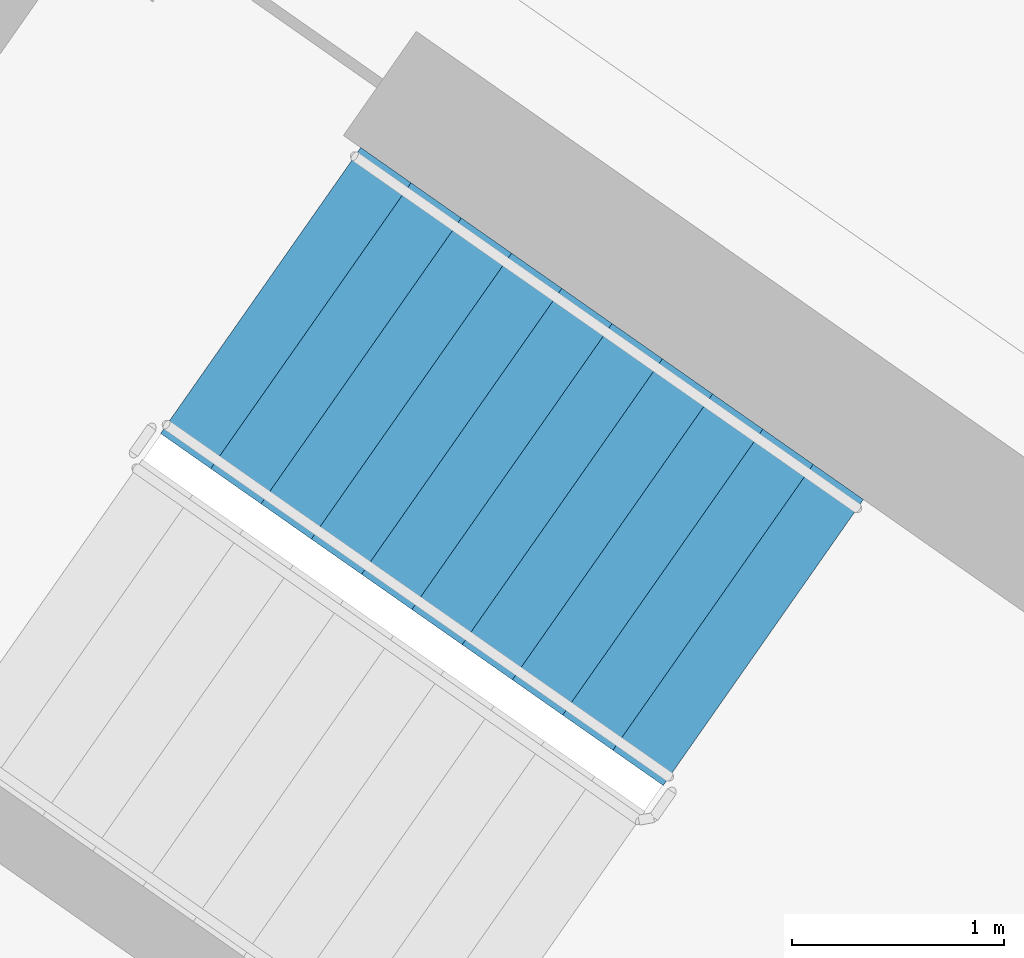
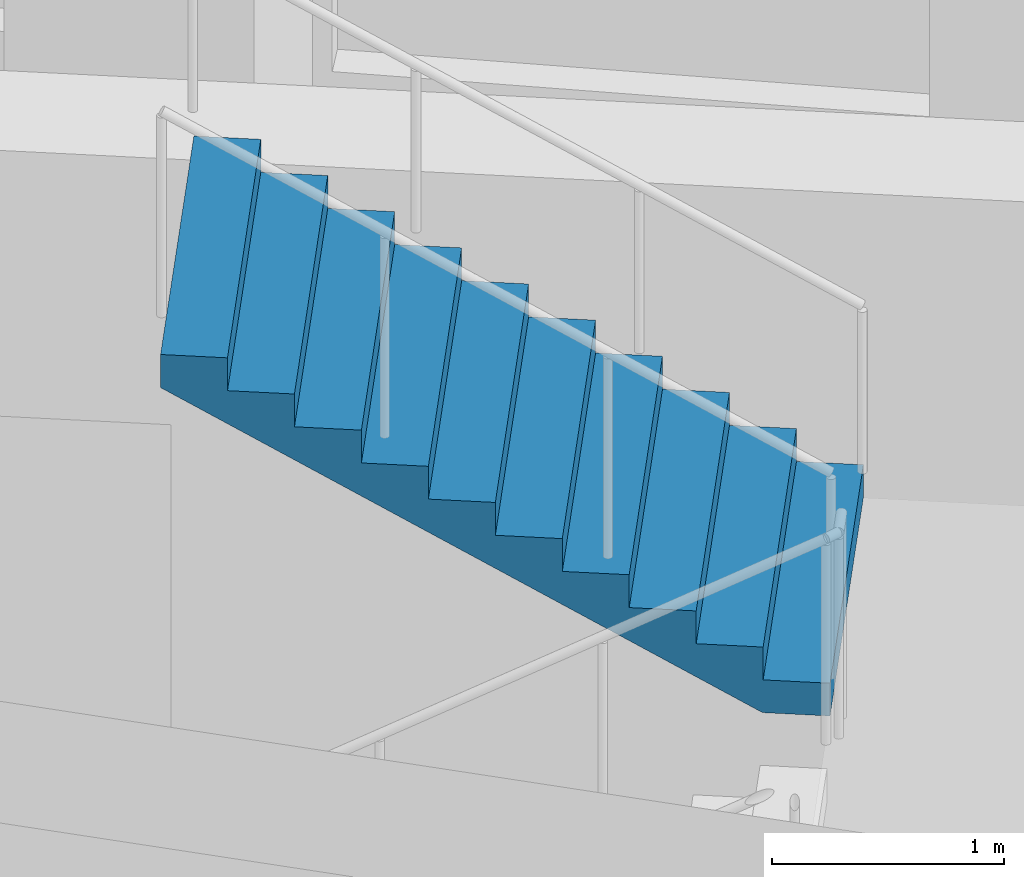
# One storey, part 12 of 27: 1 stair flight, 1 element without a shape of its own.
"""IFC4 building model written with IfcOpenShell, lengths in metres."""

from ifc_helpers import new_model, si_unit, direction, frame, origin, place, context, subcontext, project, spatial, faceted_brep, material, type_object, element, aggregate, save


model = new_model("IFC4")

# Units and contexts
model_context = context("Model", 3, precision=1e-05, world=origin(), true_north=direction((0.0, 1.0)))
body_context = subcontext(model_context, "Body", "Model", "MODEL_VIEW")
ifc_project = project(units=[si_unit("LENGTHUNIT", "METRE"), si_unit("AREAUNIT", "SQUARE_METRE"), si_unit("VOLUMEUNIT", "CUBIC_METRE"), si_unit("PLANEANGLEUNIT", "RADIAN"), si_unit("MASSUNIT", "GRAM", prefix="KILO")], contexts=[model_context])

# Site, building, storey
site_placement = place(None, origin())
site = spatial("IfcSite", under=ifc_project, at=site_placement, CompositionType="ELEMENT")
building_placement = place(site_placement, origin())
building = spatial("IfcBuilding", under=site, at=building_placement, Name="Qamariyya Broadcast Tower", CompositionType="ELEMENT")
storey_placement = place(building_placement, frame((0.0, 0.0, 172.10009765625)))
storey = spatial("IfcBuildingStorey", under=building, at=storey_placement, Name="L40", CompositionType="ELEMENT", Elevation=172.10009765625)

# Stair, stair flight
ifc_material = material(Name="Concrete C50/60", Category="concrete")
stair_type = type_object("IfcStairType", Name="Exit stair 22 risers of 173 mm", PredefinedType="HALF_TURN_STAIR", material=ifc_material)
stair_placement = place(storey_placement, origin())
stair = element("IfcStair", 1, at=stair_placement, inside=storey, type_object=stair_type, Name="L40 Stair W2", PredefinedType="HALF_TURN_STAIR")
stair_flight_type = type_object("IfcStairFlightType", Name="Exit stair flight 11 risers of 173 mm", PredefinedType="STRAIGHT", material=ifc_material)
stair_flight_placement = place(storey_placement, frame((-38.18310546875, -49.3486328125, 1.89990234375), z_axis=(0.0, 0.0, 1.0), x_axis=(-0.819152044289, 0.573576436351, 0.0)))
stair_flight = element("IfcStairFlight", 2, at=stair_flight_placement, type_object=stair_flight_type, Name="ST-W2 flight 2", NumberOfRisers=11, NumberOfTreads=10, PredefinedType="STRAIGHT", RiserHeight=0.172727273, TreadLength=0.29, context=body_context, shape_type="Brep", body=[
    faceted_brep([(0.0, 0.824951171875, 0.0), (0.0, 0.824951171875, 0.172607421875), (0.2900390625, 0.824951171875, 0.172607421875), (0.2900390625, 0.824951171875, 0.345458984375), (0.580078125, 0.824951171875, 0.345458984375), (0.580078125, 0.824951171875, 0.51806640625), (0.8701171875, 0.824951171875, 0.51806640625), (0.8701171875, 0.824951171875, 0.69091796875), (1.159912109375, 0.824951171875, 0.69091796875), (1.159912109375, 0.824951171875, 0.863525390625), (1.449951171875, 0.824951171875, 0.863525390625), (1.449951171875, 0.824951171875, 1.036376953125), (1.739990234375, 0.824951171875, 1.036376953125), (1.739990234375, 0.824951171875, 1.208984375), (2.030029296875, 0.824951171875, 1.208984375), (2.030029296875, 0.824951171875, 1.3818359375), (2.320068359375, 0.824951171875, 1.3818359375), (2.320068359375, 0.824951171875, 1.554443359375), (2.610107421875, 0.824951171875, 1.554443359375), (2.610107421875, 0.824951171875, 1.727294921875), (2.89990234375, 0.824951171875, 1.727294921875), (2.89990234375, 0.824951171875, 1.552734375), (0.29296875, 0.824951171875, 0.0), (0.29296875, -0.824951171875, 0.0), (2.89990234375, -0.824951171875, 1.552734375), (2.89990234375, -0.824951171875, 1.727294921875), (2.610107421875, -0.824951171875, 1.727294921875), (2.610107421875, -0.824951171875, 1.554443359375), (2.320068359375, -0.824951171875, 1.554443359375), (2.320068359375, -0.824951171875, 1.3818359375), (2.030029296875, -0.824951171875, 1.3818359375), (2.030029296875, -0.824951171875, 1.208984375), (1.739990234375, -0.824951171875, 1.208984375), (1.739990234375, -0.824951171875, 1.036376953125), (1.449951171875, -0.824951171875, 1.036376953125), (1.449951171875, -0.824951171875, 0.863525390625), (1.159912109375, -0.824951171875, 0.863525390625), (1.159912109375, -0.824951171875, 0.69091796875), (0.8701171875, -0.824951171875, 0.69091796875), (0.8701171875, -0.824951171875, 0.51806640625), (0.580078125, -0.824951171875, 0.51806640625), (0.580078125, -0.824951171875, 0.345458984375), (0.2900390625, -0.824951171875, 0.345458984375), (0.2900390625, -0.824951171875, 0.172607421875), (0.0, -0.824951171875, 0.172607421875), (0.0, -0.824951171875, 0.0), (0.0, 0.10009765625, 0.0), (0.0, 0.086669921875, 0.0), (0.0, 0.0732421875, 0.0), (0.0, 0.06005859375, 0.0), (0.0, 0.046630859375, 0.0), (0.0, 0.033447265625, 0.0), (0.0, 0.02001953125, 0.0), (0.0, 0.006591796875, 0.0), (0.0, -0.006591796875, 0.0), (0.0, -0.02001953125, 0.0), (0.0, -0.033447265625, 0.0), (0.0, -0.046630859375, 0.0), (0.0, -0.06005859375, 0.0), (0.0, -0.0732421875, 0.0), (0.0, -0.086669921875, 0.0), (0.0, -0.10009765625, 0.0), (0.0, -0.10009765625, 0.172607421875), (0.0, -0.086669921875, 0.172607421875), (0.0, -0.0732421875, 0.172607421875), (0.0, -0.06005859375, 0.172607421875), (0.0, -0.046630859375, 0.172607421875), (0.0, -0.033447265625, 0.172607421875), (0.0, -0.02001953125, 0.172607421875), (0.0, -0.006591796875, 0.172607421875), (0.0, 0.006591796875, 0.172607421875), (0.0, 0.02001953125, 0.172607421875), (0.0, 0.033447265625, 0.172607421875), (0.0, 0.046630859375, 0.172607421875), (0.0, 0.06005859375, 0.172607421875), (0.0, 0.0732421875, 0.172607421875), (0.0, 0.086669921875, 0.172607421875), (0.0, 0.10009765625, 0.172607421875), (0.2900390625, -0.10009765625, 0.172607421875), (0.2900390625, -0.086669921875, 0.172607421875), (0.2900390625, -0.0732421875, 0.172607421875), (0.2900390625, -0.06005859375, 0.172607421875), (0.2900390625, -0.046630859375, 0.172607421875), (0.2900390625, -0.033447265625, 0.172607421875), (0.2900390625, -0.02001953125, 0.172607421875), (0.2900390625, -0.006591796875, 0.172607421875), (0.2900390625, 0.006591796875, 0.172607421875), (0.2900390625, 0.02001953125, 0.172607421875), (0.2900390625, 0.033447265625, 0.172607421875), (0.2900390625, 0.046630859375, 0.172607421875), (0.2900390625, 0.06005859375, 0.172607421875), (0.2900390625, 0.0732421875, 0.172607421875), (0.2900390625, 0.086669921875, 0.172607421875), (0.2900390625, 0.10009765625, 0.172607421875), (0.2900390625, -0.10009765625, 0.345458984375), (0.2900390625, -0.086669921875, 0.345458984375), (0.2900390625, -0.0732421875, 0.345458984375), (0.2900390625, -0.06005859375, 0.345458984375), (0.2900390625, -0.046630859375, 0.345458984375), (0.2900390625, -0.033447265625, 0.345458984375), (0.2900390625, -0.02001953125, 0.345458984375), (0.2900390625, -0.006591796875, 0.345458984375), (0.2900390625, 0.006591796875, 0.345458984375), (0.2900390625, 0.02001953125, 0.345458984375), (0.2900390625, 0.033447265625, 0.345458984375), (0.2900390625, 0.046630859375, 0.345458984375), (0.2900390625, 0.06005859375, 0.345458984375), (0.2900390625, 0.0732421875, 0.345458984375), (0.2900390625, 0.086669921875, 0.345458984375), (0.2900390625, 0.10009765625, 0.345458984375), (0.580078125, -0.10009765625, 0.345458984375), (0.580078125, -0.086669921875, 0.345458984375), (0.580078125, -0.0732421875, 0.345458984375), (0.580078125, -0.06005859375, 0.345458984375), (0.580078125, -0.046630859375, 0.345458984375), (0.580078125, -0.033447265625, 0.345458984375), (0.580078125, -0.02001953125, 0.345458984375), (0.580078125, -0.006591796875, 0.345458984375), (0.580078125, 0.006591796875, 0.345458984375), (0.580078125, 0.02001953125, 0.345458984375), (0.580078125, 0.033447265625, 0.345458984375), (0.580078125, 0.046630859375, 0.345458984375), (0.580078125, 0.06005859375, 0.345458984375), (0.580078125, 0.0732421875, 0.345458984375), (0.580078125, 0.086669921875, 0.345458984375), (0.580078125, 0.10009765625, 0.345458984375), (0.580078125, -0.10009765625, 0.51806640625), (0.580078125, -0.086669921875, 0.51806640625), (0.580078125, -0.0732421875, 0.51806640625), (0.580078125, -0.06005859375, 0.51806640625), (0.580078125, -0.046630859375, 0.51806640625), (0.580078125, -0.033447265625, 0.51806640625), (0.580078125, -0.02001953125, 0.51806640625), (0.580078125, -0.006591796875, 0.51806640625), (0.580078125, 0.006591796875, 0.51806640625), (0.580078125, 0.02001953125, 0.51806640625), (0.580078125, 0.033447265625, 0.51806640625), (0.580078125, 0.046630859375, 0.51806640625), (0.580078125, 0.06005859375, 0.51806640625), (0.580078125, 0.0732421875, 0.51806640625), (0.580078125, 0.086669921875, 0.51806640625), (0.580078125, 0.10009765625, 0.51806640625), (0.8701171875, -0.10009765625, 0.51806640625), (0.8701171875, -0.086669921875, 0.51806640625), (0.8701171875, -0.0732421875, 0.51806640625), (0.8701171875, -0.06005859375, 0.51806640625), (0.8701171875, -0.046630859375, 0.51806640625), (0.8701171875, -0.033447265625, 0.51806640625), (0.8701171875, -0.02001953125, 0.51806640625), (0.8701171875, -0.006591796875, 0.51806640625), (0.8701171875, 0.006591796875, 0.51806640625), (0.8701171875, 0.02001953125, 0.51806640625), (0.8701171875, 0.033447265625, 0.51806640625), (0.8701171875, 0.046630859375, 0.51806640625), (0.8701171875, 0.06005859375, 0.51806640625), (0.8701171875, 0.0732421875, 0.51806640625), (0.8701171875, 0.086669921875, 0.51806640625), (0.8701171875, 0.10009765625, 0.51806640625), (0.8701171875, -0.10009765625, 0.69091796875), (0.8701171875, -0.086669921875, 0.69091796875), (0.8701171875, -0.0732421875, 0.69091796875), (0.8701171875, -0.06005859375, 0.69091796875), (0.8701171875, -0.046630859375, 0.69091796875), (0.8701171875, -0.033447265625, 0.69091796875), (0.8701171875, -0.02001953125, 0.69091796875), (0.8701171875, -0.006591796875, 0.69091796875), (0.8701171875, 0.006591796875, 0.69091796875), (0.8701171875, 0.02001953125, 0.69091796875), (0.8701171875, 0.033447265625, 0.69091796875), (0.8701171875, 0.046630859375, 0.69091796875), (0.8701171875, 0.06005859375, 0.69091796875), (0.8701171875, 0.0732421875, 0.69091796875), (0.8701171875, 0.086669921875, 0.69091796875), (0.8701171875, 0.10009765625, 0.69091796875), (1.159912109375, -0.10009765625, 0.69091796875), (1.159912109375, -0.086669921875, 0.69091796875), (1.159912109375, -0.0732421875, 0.69091796875), (1.159912109375, -0.06005859375, 0.69091796875), (1.159912109375, -0.046630859375, 0.69091796875), (1.159912109375, -0.033447265625, 0.69091796875), (1.159912109375, -0.02001953125, 0.69091796875), (1.159912109375, -0.006591796875, 0.69091796875), (1.159912109375, 0.006591796875, 0.69091796875), (1.159912109375, 0.02001953125, 0.69091796875), (1.159912109375, 0.033447265625, 0.69091796875), (1.159912109375, 0.046630859375, 0.69091796875), (1.159912109375, 0.06005859375, 0.69091796875), (1.159912109375, 0.0732421875, 0.69091796875), (1.159912109375, 0.086669921875, 0.69091796875), (1.159912109375, 0.10009765625, 0.69091796875), (1.159912109375, -0.10009765625, 0.863525390625), (1.159912109375, -0.086669921875, 0.863525390625), (1.159912109375, -0.0732421875, 0.863525390625), (1.159912109375, -0.06005859375, 0.863525390625), (1.159912109375, -0.046630859375, 0.863525390625), (1.159912109375, -0.033447265625, 0.863525390625), (1.159912109375, -0.02001953125, 0.863525390625), (1.159912109375, -0.006591796875, 0.863525390625), (1.159912109375, 0.006591796875, 0.863525390625), (1.159912109375, 0.02001953125, 0.863525390625), (1.159912109375, 0.033447265625, 0.863525390625), (1.159912109375, 0.046630859375, 0.863525390625), (1.159912109375, 0.06005859375, 0.863525390625), (1.159912109375, 0.0732421875, 0.863525390625), (1.159912109375, 0.086669921875, 0.863525390625), (1.159912109375, 0.10009765625, 0.863525390625), (1.449951171875, -0.10009765625, 0.863525390625), (1.449951171875, -0.086669921875, 0.863525390625), (1.449951171875, -0.0732421875, 0.863525390625), (1.449951171875, -0.06005859375, 0.863525390625), (1.449951171875, -0.046630859375, 0.863525390625), (1.449951171875, -0.033447265625, 0.863525390625), (1.449951171875, -0.02001953125, 0.863525390625), (1.449951171875, -0.006591796875, 0.863525390625), (1.449951171875, 0.006591796875, 0.863525390625), (1.449951171875, 0.02001953125, 0.863525390625), (1.449951171875, 0.033447265625, 0.863525390625), (1.449951171875, 0.046630859375, 0.863525390625), (1.449951171875, 0.06005859375, 0.863525390625), (1.449951171875, 0.0732421875, 0.863525390625), (1.449951171875, 0.086669921875, 0.863525390625), (1.449951171875, 0.10009765625, 0.863525390625), (1.449951171875, -0.10009765625, 1.036376953125), (1.449951171875, -0.086669921875, 1.036376953125), (1.449951171875, -0.0732421875, 1.036376953125), (1.449951171875, -0.06005859375, 1.036376953125), (1.449951171875, -0.046630859375, 1.036376953125), (1.449951171875, -0.033447265625, 1.036376953125), (1.449951171875, -0.02001953125, 1.036376953125), (1.449951171875, -0.006591796875, 1.036376953125), (1.449951171875, 0.006591796875, 1.036376953125), (1.449951171875, 0.02001953125, 1.036376953125), (1.449951171875, 0.033447265625, 1.036376953125), (1.449951171875, 0.046630859375, 1.036376953125), (1.449951171875, 0.06005859375, 1.036376953125), (1.449951171875, 0.0732421875, 1.036376953125), (1.449951171875, 0.086669921875, 1.036376953125), (1.449951171875, 0.10009765625, 1.036376953125), (1.739990234375, -0.10009765625, 1.036376953125), (1.739990234375, -0.086669921875, 1.036376953125), (1.739990234375, -0.0732421875, 1.036376953125), (1.739990234375, -0.06005859375, 1.036376953125), (1.739990234375, -0.046630859375, 1.036376953125), (1.739990234375, -0.033447265625, 1.036376953125), (1.739990234375, -0.02001953125, 1.036376953125), (1.739990234375, -0.006591796875, 1.036376953125), (1.739990234375, 0.006591796875, 1.036376953125), (1.739990234375, 0.02001953125, 1.036376953125), (1.739990234375, 0.033447265625, 1.036376953125), (1.739990234375, 0.046630859375, 1.036376953125), (1.739990234375, 0.06005859375, 1.036376953125), (1.739990234375, 0.0732421875, 1.036376953125), (1.739990234375, 0.086669921875, 1.036376953125), (1.739990234375, 0.10009765625, 1.036376953125), (1.739990234375, -0.10009765625, 1.208984375), (1.739990234375, -0.086669921875, 1.208984375), (1.739990234375, -0.0732421875, 1.208984375), (1.739990234375, -0.06005859375, 1.208984375), (1.739990234375, -0.046630859375, 1.208984375), (1.739990234375, -0.033447265625, 1.208984375), (1.739990234375, -0.02001953125, 1.208984375), (1.739990234375, -0.006591796875, 1.208984375), (1.739990234375, 0.006591796875, 1.208984375), (1.739990234375, 0.02001953125, 1.208984375), (1.739990234375, 0.033447265625, 1.208984375), (1.739990234375, 0.046630859375, 1.208984375), (1.739990234375, 0.06005859375, 1.208984375), (1.739990234375, 0.0732421875, 1.208984375), (1.739990234375, 0.086669921875, 1.208984375), (1.739990234375, 0.10009765625, 1.208984375), (2.030029296875, -0.10009765625, 1.208984375), (2.030029296875, -0.086669921875, 1.208984375), (2.030029296875, -0.0732421875, 1.208984375), (2.030029296875, -0.06005859375, 1.208984375), (2.030029296875, -0.046630859375, 1.208984375), (2.030029296875, -0.033447265625, 1.208984375), (2.030029296875, -0.02001953125, 1.208984375), (2.030029296875, -0.006591796875, 1.208984375), (2.030029296875, 0.006591796875, 1.208984375), (2.030029296875, 0.02001953125, 1.208984375), (2.030029296875, 0.033447265625, 1.208984375), (2.030029296875, 0.046630859375, 1.208984375), (2.030029296875, 0.06005859375, 1.208984375), (2.030029296875, 0.0732421875, 1.208984375), (2.030029296875, 0.086669921875, 1.208984375), (2.030029296875, 0.10009765625, 1.208984375), (2.030029296875, -0.10009765625, 1.3818359375), (2.030029296875, -0.086669921875, 1.3818359375), (2.030029296875, -0.0732421875, 1.3818359375), (2.030029296875, -0.06005859375, 1.3818359375), (2.030029296875, -0.046630859375, 1.3818359375), (2.030029296875, -0.033447265625, 1.3818359375), (2.030029296875, -0.02001953125, 1.3818359375), (2.030029296875, -0.006591796875, 1.3818359375), (2.030029296875, 0.006591796875, 1.3818359375), (2.030029296875, 0.02001953125, 1.3818359375), (2.030029296875, 0.033447265625, 1.3818359375), (2.030029296875, 0.046630859375, 1.3818359375), (2.030029296875, 0.06005859375, 1.3818359375), (2.030029296875, 0.0732421875, 1.3818359375), (2.030029296875, 0.086669921875, 1.3818359375), (2.030029296875, 0.10009765625, 1.3818359375), (2.320068359375, -0.10009765625, 1.3818359375), (2.320068359375, -0.086669921875, 1.3818359375), (2.320068359375, -0.0732421875, 1.3818359375), (2.320068359375, -0.06005859375, 1.3818359375), (2.320068359375, -0.046630859375, 1.3818359375), (2.320068359375, -0.033447265625, 1.3818359375), (2.320068359375, -0.02001953125, 1.3818359375), (2.320068359375, -0.006591796875, 1.3818359375), (2.320068359375, 0.006591796875, 1.3818359375), (2.320068359375, 0.02001953125, 1.3818359375), (2.320068359375, 0.033447265625, 1.3818359375), (2.320068359375, 0.046630859375, 1.3818359375), (2.320068359375, 0.06005859375, 1.3818359375), (2.320068359375, 0.0732421875, 1.3818359375), (2.320068359375, 0.086669921875, 1.3818359375), (2.320068359375, 0.10009765625, 1.3818359375), (2.320068359375, -0.10009765625, 1.554443359375), (2.320068359375, -0.086669921875, 1.554443359375), (2.320068359375, -0.0732421875, 1.554443359375), (2.320068359375, -0.06005859375, 1.554443359375), (2.320068359375, -0.046630859375, 1.554443359375), (2.320068359375, -0.033447265625, 1.554443359375), (2.320068359375, -0.02001953125, 1.554443359375), (2.320068359375, -0.006591796875, 1.554443359375), (2.320068359375, 0.006591796875, 1.554443359375), (2.320068359375, 0.02001953125, 1.554443359375), (2.320068359375, 0.033447265625, 1.554443359375), (2.320068359375, 0.046630859375, 1.554443359375), (2.320068359375, 0.06005859375, 1.554443359375), (2.320068359375, 0.0732421875, 1.554443359375), (2.320068359375, 0.086669921875, 1.554443359375), (2.320068359375, 0.10009765625, 1.554443359375), (2.610107421875, -0.10009765625, 1.554443359375), (2.610107421875, -0.086669921875, 1.554443359375), (2.610107421875, -0.0732421875, 1.554443359375), (2.610107421875, -0.06005859375, 1.554443359375), (2.610107421875, -0.046630859375, 1.554443359375), (2.610107421875, -0.033447265625, 1.554443359375), (2.610107421875, -0.02001953125, 1.554443359375), (2.610107421875, -0.006591796875, 1.554443359375), (2.610107421875, 0.006591796875, 1.554443359375), (2.610107421875, 0.02001953125, 1.554443359375), (2.610107421875, 0.033447265625, 1.554443359375), (2.610107421875, 0.046630859375, 1.554443359375), (2.610107421875, 0.06005859375, 1.554443359375), (2.610107421875, 0.0732421875, 1.554443359375), (2.610107421875, 0.086669921875, 1.554443359375), (2.610107421875, 0.10009765625, 1.554443359375), (2.610107421875, -0.10009765625, 1.727294921875), (2.610107421875, -0.086669921875, 1.727294921875), (2.610107421875, -0.0732421875, 1.727294921875), (2.610107421875, -0.06005859375, 1.727294921875), (2.610107421875, -0.046630859375, 1.727294921875), (2.610107421875, -0.033447265625, 1.727294921875), (2.610107421875, -0.02001953125, 1.727294921875), (2.610107421875, -0.006591796875, 1.727294921875), (2.610107421875, 0.006591796875, 1.727294921875), (2.610107421875, 0.02001953125, 1.727294921875), (2.610107421875, 0.033447265625, 1.727294921875), (2.610107421875, 0.046630859375, 1.727294921875), (2.610107421875, 0.06005859375, 1.727294921875), (2.610107421875, 0.0732421875, 1.727294921875), (2.610107421875, 0.086669921875, 1.727294921875), (2.610107421875, 0.10009765625, 1.727294921875), (2.89990234375, -0.10009765625, 1.727294921875), (2.89990234375, -0.086669921875, 1.727294921875), (2.89990234375, -0.0732421875, 1.727294921875), (2.89990234375, -0.06005859375, 1.727294921875), (2.89990234375, -0.046630859375, 1.727294921875), (2.89990234375, -0.033447265625, 1.727294921875), (2.89990234375, -0.02001953125, 1.727294921875), (2.89990234375, -0.006591796875, 1.727294921875), (2.89990234375, 0.006591796875, 1.727294921875), (2.89990234375, 0.02001953125, 1.727294921875), (2.89990234375, 0.033447265625, 1.727294921875), (2.89990234375, 0.046630859375, 1.727294921875), (2.89990234375, 0.06005859375, 1.727294921875), (2.89990234375, 0.0732421875, 1.727294921875), (2.89990234375, 0.086669921875, 1.727294921875), (2.89990234375, 0.10009765625, 1.727294921875), (2.89990234375, -0.10009765625, 1.552734375), (2.89990234375, -0.086669921875, 1.552734375), (2.89990234375, -0.0732421875, 1.552734375), (2.89990234375, -0.06005859375, 1.552734375), (2.89990234375, -0.046630859375, 1.552734375), (2.89990234375, -0.033447265625, 1.552734375), (2.89990234375, -0.02001953125, 1.552734375), (2.89990234375, -0.006591796875, 1.552734375), (2.89990234375, 0.006591796875, 1.552734375), (2.89990234375, 0.02001953125, 1.552734375), (2.89990234375, 0.033447265625, 1.552734375), (2.89990234375, 0.046630859375, 1.552734375), (2.89990234375, 0.06005859375, 1.552734375), (2.89990234375, 0.0732421875, 1.552734375), (2.89990234375, 0.086669921875, 1.552734375), (2.89990234375, 0.10009765625, 1.552734375), (0.29296875, -0.10009765625, 0.0), (0.29296875, -0.086669921875, 0.0), (0.29296875, -0.0732421875, 0.0), (0.29296875, -0.06005859375, 0.0), (0.29296875, -0.046630859375, 0.0), (0.29296875, -0.033447265625, 0.0), (0.29296875, -0.02001953125, 0.0), (0.29296875, -0.006591796875, 0.0), (0.29296875, 0.006591796875, 0.0), (0.29296875, 0.02001953125, 0.0), (0.29296875, 0.033447265625, 0.0), (0.29296875, 0.046630859375, 0.0), (0.29296875, 0.06005859375, 0.0), (0.29296875, 0.0732421875, 0.0), (0.29296875, 0.086669921875, 0.0), (0.29296875, 0.10009765625, 0.0)], [[[0, 1, 2, 3, 4, 5, 6, 7, 8, 9, 10, 11, 12, 13, 14, 15, 16, 17, 18, 19, 20, 21, 22]], [[23, 24, 25, 26, 27, 28, 29, 30, 31, 32, 33, 34, 35, 36, 37, 38, 39, 40, 41, 42, 43, 44, 45]], [[0, 46, 47, 48, 49, 50, 51, 52, 53, 54, 55, 56, 57, 58, 59, 60, 61, 45, 44, 62, 63, 64, 65, 66, 67, 68, 69, 70, 71, 72, 73, 74, 75, 76, 77, 1]], [[1, 77, 76, 75, 74, 73, 72, 71, 70, 69, 68, 67, 66, 65, 64, 63, 62, 44, 43, 78, 79, 80, 81, 82, 83, 84, 85, 86, 87, 88, 89, 90, 91, 92, 93, 2]], [[2, 93, 92, 91, 90, 89, 88, 87, 86, 85, 84, 83, 82, 81, 80, 79, 78, 43, 42, 94, 95, 96, 97, 98, 99, 100, 101, 102, 103, 104, 105, 106, 107, 108, 109, 3]], [[3, 109, 108, 107, 106, 105, 104, 103, 102, 101, 100, 99, 98, 97, 96, 95, 94, 42, 41, 110, 111, 112, 113, 114, 115, 116, 117, 118, 119, 120, 121, 122, 123, 124, 125, 4]], [[4, 125, 124, 123, 122, 121, 120, 119, 118, 117, 116, 115, 114, 113, 112, 111, 110, 41, 40, 126, 127, 128, 129, 130, 131, 132, 133, 134, 135, 136, 137, 138, 139, 140, 141, 5]], [[5, 141, 140, 139, 138, 137, 136, 135, 134, 133, 132, 131, 130, 129, 128, 127, 126, 40, 39, 142, 143, 144, 145, 146, 147, 148, 149, 150, 151, 152, 153, 154, 155, 156, 157, 6]], [[6, 157, 156, 155, 154, 153, 152, 151, 150, 149, 148, 147, 146, 145, 144, 143, 142, 39, 38, 158, 159, 160, 161, 162, 163, 164, 165, 166, 167, 168, 169, 170, 171, 172, 173, 7]], [[7, 173, 172, 171, 170, 169, 168, 167, 166, 165, 164, 163, 162, 161, 160, 159, 158, 38, 37, 174, 175, 176, 177, 178, 179, 180, 181, 182, 183, 184, 185, 186, 187, 188, 189, 8]], [[8, 189, 188, 187, 186, 185, 184, 183, 182, 181, 180, 179, 178, 177, 176, 175, 174, 37, 36, 190, 191, 192, 193, 194, 195, 196, 197, 198, 199, 200, 201, 202, 203, 204, 205, 9]], [[9, 205, 204, 203, 202, 201, 200, 199, 198, 197, 196, 195, 194, 193, 192, 191, 190, 36, 35, 206, 207, 208, 209, 210, 211, 212, 213, 214, 215, 216, 217, 218, 219, 220, 221, 10]], [[10, 221, 220, 219, 218, 217, 216, 215, 214, 213, 212, 211, 210, 209, 208, 207, 206, 35, 34, 222, 223, 224, 225, 226, 227, 228, 229, 230, 231, 232, 233, 234, 235, 236, 237, 11]], [[11, 237, 236, 235, 234, 233, 232, 231, 230, 229, 228, 227, 226, 225, 224, 223, 222, 34, 33, 238, 239, 240, 241, 242, 243, 244, 245, 246, 247, 248, 249, 250, 251, 252, 253, 12]], [[12, 253, 252, 251, 250, 249, 248, 247, 246, 245, 244, 243, 242, 241, 240, 239, 238, 33, 32, 254, 255, 256, 257, 258, 259, 260, 261, 262, 263, 264, 265, 266, 267, 268, 269, 13]], [[13, 269, 268, 267, 266, 265, 264, 263, 262, 261, 260, 259, 258, 257, 256, 255, 254, 32, 31, 270, 271, 272, 273, 274, 275, 276, 277, 278, 279, 280, 281, 282, 283, 284, 285, 14]], [[14, 285, 284, 283, 282, 281, 280, 279, 278, 277, 276, 275, 274, 273, 272, 271, 270, 31, 30, 286, 287, 288, 289, 290, 291, 292, 293, 294, 295, 296, 297, 298, 299, 300, 301, 15]], [[15, 301, 300, 299, 298, 297, 296, 295, 294, 293, 292, 291, 290, 289, 288, 287, 286, 30, 29, 302, 303, 304, 305, 306, 307, 308, 309, 310, 311, 312, 313, 314, 315, 316, 317, 16]], [[16, 317, 316, 315, 314, 313, 312, 311, 310, 309, 308, 307, 306, 305, 304, 303, 302, 29, 28, 318, 319, 320, 321, 322, 323, 324, 325, 326, 327, 328, 329, 330, 331, 332, 333, 17]], [[17, 333, 332, 331, 330, 329, 328, 327, 326, 325, 324, 323, 322, 321, 320, 319, 318, 28, 27, 334, 335, 336, 337, 338, 339, 340, 341, 342, 343, 344, 345, 346, 347, 348, 349, 18]], [[18, 349, 348, 347, 346, 345, 344, 343, 342, 341, 340, 339, 338, 337, 336, 335, 334, 27, 26, 350, 351, 352, 353, 354, 355, 356, 357, 358, 359, 360, 361, 362, 363, 364, 365, 19]], [[19, 365, 364, 363, 362, 361, 360, 359, 358, 357, 356, 355, 354, 353, 352, 351, 350, 26, 25, 366, 367, 368, 369, 370, 371, 372, 373, 374, 375, 376, 377, 378, 379, 380, 381, 20]], [[20, 381, 380, 379, 378, 377, 376, 375, 374, 373, 372, 371, 370, 369, 368, 367, 366, 25, 24, 382, 383, 384, 385, 386, 387, 388, 389, 390, 391, 392, 393, 394, 395, 396, 397, 21]], [[21, 397, 396, 395, 394, 393, 392, 391, 390, 389, 388, 387, 386, 385, 384, 383, 382, 24, 23, 398, 399, 400, 401, 402, 403, 404, 405, 406, 407, 408, 409, 410, 411, 412, 413, 22]], [[22, 413, 412, 411, 410, 409, 408, 407, 406, 405, 404, 403, 402, 401, 400, 399, 398, 23, 45, 61, 60, 59, 58, 57, 56, 55, 54, 53, 52, 51, 50, 49, 48, 47, 46, 0]]]),
])
aggregate(stair, [stair_flight])

save(model, "model.ifc")
